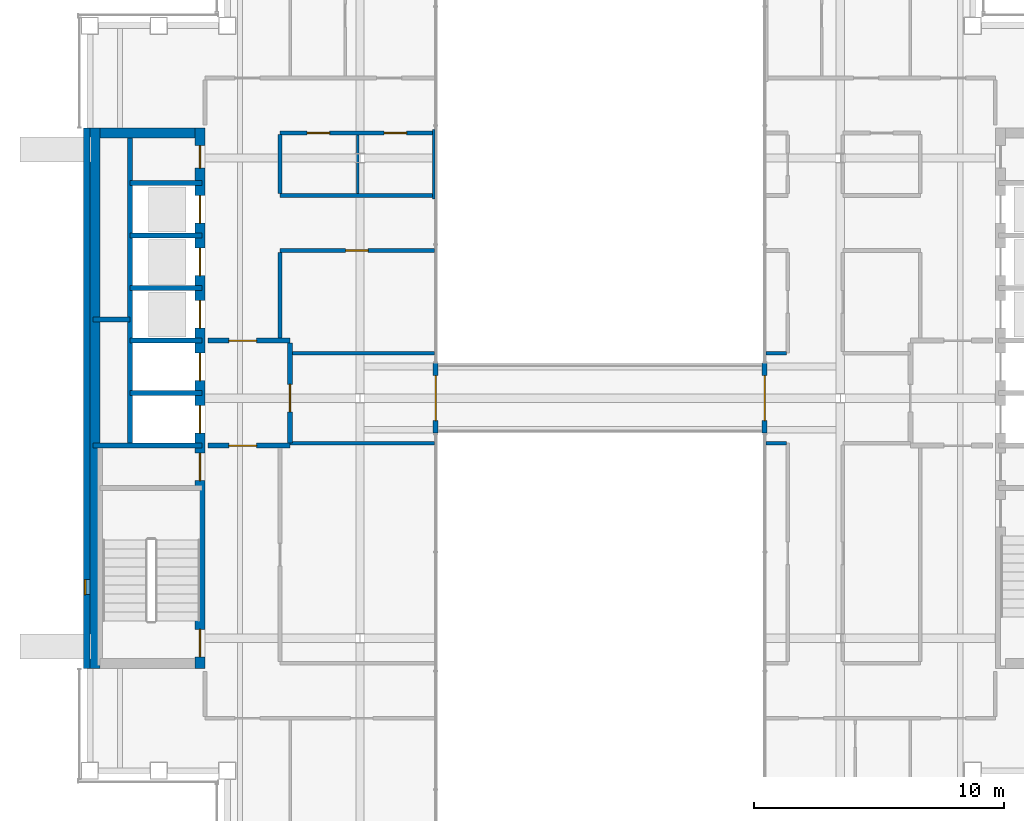
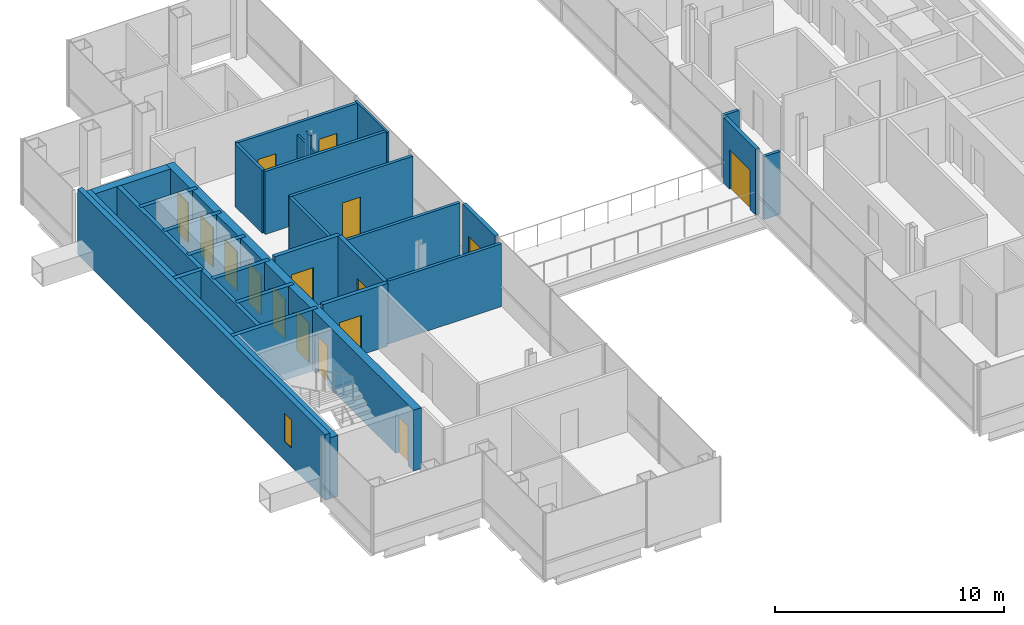
# One storey, part 12 of 16: 30 walls, 16 doors, 1 window, 17 openings.
"""IFC4 building model written with IfcOpenShell, lengths in metres."""

from ifc_helpers import new_model, si_unit, direction, frame, frame_2d, origin, place, context, subcontext, project, spatial, rectangle, extrude, material, layer, layer_set, type_object, element, fill, save


model = new_model("IFC4")

# Units and contexts
model_context = context("Model", 3, precision=1e-05, world=origin(), true_north=direction((0.0, 1.0)))
body_context = subcontext(model_context, "Body", "Model", "MODEL_VIEW")
ifc_project = project(units=[si_unit("LENGTHUNIT", "METRE"), si_unit("AREAUNIT", "SQUARE_METRE"), si_unit("VOLUMEUNIT", "CUBIC_METRE"), si_unit("PLANEANGLEUNIT", "RADIAN"), si_unit("MASSUNIT", "GRAM", prefix="KILO")], contexts=[model_context])

# Site, building, storey
site_placement = place(None, origin())
site = spatial("IfcSite", under=ifc_project, at=site_placement, CompositionType="ELEMENT")
building_placement = place(site_placement, origin())
building = spatial("IfcBuilding", under=site, at=building_placement, Name="Cobrizo Arcos Hotel Tower", CompositionType="ELEMENT")
storey_placement = place(building_placement, frame((0.0, 0.0, 229.5)))
storey = spatial("IfcBuildingStorey", under=building, at=storey_placement, Name="L60", CompositionType="ELEMENT", Elevation=229.5)

# Walls
ifc_material_1 = material(Name="Gypsum board partition")
ifc_layer_1 = layer(ifc_material_1, 0.14990234375)
ifc_layer_set_1 = layer_set([ifc_layer_1], Name="Corridor wall EI 60 150")
wall_type_1 = type_object("IfcWallType", Name="Corridor wall EI 60 150", PredefinedType="PARTITIONING", material=ifc_layer_set_1)
wall_1_placement = place(storey_placement, frame((-12.39990234375, -1.800048828125, 0.0), z_axis=(0.0, 0.0, 1.0), x_axis=(1.0, 0.0, 0.0)))
element("IfcWall", 1, at=wall_1_placement, inside=storey, type_object=wall_type_1, Name="Partition 015", PredefinedType="PARTITIONING", context=body_context, shape_type="SweptSolid", body=[
    extrude(rectangle(XDim=5.77978515625, YDim=0.14990234375, at=frame_2d((2.889892578125, 0.0))), origin(), (0.0, 0.0, 1.0), 3.35009765625),
])
wall_2_placement = place(storey_placement, frame((6.6201171875, -1.800048828125, 0.0), z_axis=(0.0, 0.0, 1.0), x_axis=(1.0, 0.0, 0.0)))
element("IfcWall", 2, at=wall_2_placement, inside=storey, type_object=wall_type_1, Name="Partition 016", PredefinedType="PARTITIONING", context=body_context, shape_type="SweptSolid", body=[
    extrude(rectangle(XDim=0.829833984375, YDim=0.14990234375, at=frame_2d((0.4150390625, 0.0))), origin(), (0.0, 0.0, 1.0), 3.35009765625),
])
wall_3_placement = place(storey_placement, frame((-12.39990234375, 1.800048828125, 0.0), z_axis=(0.0, 0.0, 1.0), x_axis=(1.0, 0.0, 0.0)))
element("IfcWall", 3, at=wall_3_placement, inside=storey, type_object=wall_type_1, Name="Partition 020", PredefinedType="PARTITIONING", context=body_context, shape_type="SweptSolid", body=[
    extrude(rectangle(XDim=5.77978515625, YDim=0.14990234375, at=frame_2d((2.889892578125, 0.0))), origin(), (0.0, 0.0, 1.0), 3.35009765625),
])
wall_4_placement = place(storey_placement, frame((6.6201171875, 1.800048828125, 0.0), z_axis=(0.0, 0.0, 1.0), x_axis=(1.0, 0.0, 0.0)))
element("IfcWall", 4, at=wall_4_placement, inside=storey, type_object=wall_type_1, Name="Partition 021", PredefinedType="PARTITIONING", context=body_context, shape_type="SweptSolid", body=[
    extrude(rectangle(XDim=0.829833984375, YDim=0.14990234375, at=frame_2d((0.4150390625, 0.0))), origin(), (0.0, 0.0, 1.0), 3.35009765625),
])

# Wall, opening, door
wall_5_placement = place(storey_placement, frame((-12.800048828125, 5.89990234375, 0.0), z_axis=(0.0, 0.0, 1.0), x_axis=(1.0, 0.0, 0.0)))
wall_5 = element("IfcWall", 5, at=wall_5_placement, inside=storey, type_object=wall_type_1, Name="Partition 031", PredefinedType="PARTITIONING", context=body_context, shape_type="SweptSolid", body=[
    extrude(rectangle(XDim=6.179931640625, YDim=0.14990234375, at=frame_2d((3.08984375, 0.0))), origin(), (0.0, 0.0, 1.0), 3.35009765625),
])
opening_1_placement = place(wall_5_placement, frame((2.625, 0.0, 0.0)))
opening_1 = element("IfcOpeningElement", 6, at=opening_1_placement, cuts=wall_5, Name="Opening RD-09", PredefinedType="OPENING", context=body_context, shape_type="SweptSolid", body=[
    extrude(rectangle(XDim=0.89990234375, YDim=2.10009765625, at=frame_2d((0.449951171875, 1.050048828125))), frame((0.0, 0.0869140625, 0.0), z_axis=(0.0, -1.0, 0.0), x_axis=(1.0, 0.0, 0.0)), (0.0, 0.0, 1.0), 0.173828125),
])
ifc_material_2 = material(Name="Timber door leaf", Category="wood")
door_type_1 = type_object("IfcDoorType", Name="Room door FD30 900x2100", OperationType="SINGLE_SWING_LEFT", PredefinedType="DOOR", material=ifc_material_2)
door_1_placement = place(opening_1_placement, origin())
door_1 = element("IfcDoor", 7, at=door_1_placement, inside=storey, type_object=door_type_1, Name="Door RD-09", OperationType="SINGLE_SWING_LEFT", OverallHeight=2.10009765625, OverallWidth=0.89990234375, PredefinedType="DOOR", context=body_context, shape_type="SweptSolid", body=[
    extrude(rectangle(XDim=0.89990234375, YDim=2.10009765625, at=frame_2d((0.449951171875, 1.050048828125))), frame((0.0, 0.02490234375, 0.0), z_axis=(0.0, -1.0, 0.0), x_axis=(1.0, 0.0, 0.0)), (0.0, 0.0, 1.0), 0.050048828125),
])
fill(opening_1, door_1)

# Wall
wall_6_placement = place(storey_placement, frame((-12.800048828125, 8.10009765625, 0.0), z_axis=(0.0, 0.0, 1.0), x_axis=(1.0, 0.0, 0.0)))
element("IfcWall", 8, at=wall_6_placement, inside=storey, type_object=wall_type_1, Name="Partition 036", PredefinedType="PARTITIONING", context=body_context, shape_type="SweptSolid", body=[
    extrude(rectangle(XDim=6.150146484375, YDim=0.14990234375, at=frame_2d((3.0751953125, 0.0))), origin(), (0.0, 0.0, 1.0), 3.35009765625),
])

# Wall, openings, doors
wall_7_placement = place(storey_placement, frame((-12.800048828125, 10.60009765625, 0.0), z_axis=(0.0, 0.0, 1.0), x_axis=(1.0, 0.0, 0.0)))
wall_7 = element("IfcWall", 9, at=wall_7_placement, inside=storey, type_object=wall_type_1, Name="Partition 041", PredefinedType="PARTITIONING", context=body_context, shape_type="SweptSolid", body=[
    extrude(rectangle(XDim=6.150146484375, YDim=0.14990234375, at=frame_2d((3.0751953125, 0.0))), origin(), (0.0, 0.0, 1.0), 3.35009765625),
])
opening_2_placement = place(wall_7_placement, frame((1.087890625, 0.0, 0.0)))
opening_2 = element("IfcOpeningElement", 10, at=opening_2_placement, cuts=wall_7, Name="Opening ED-08", PredefinedType="OPENING", context=body_context, shape_type="SweptSolid", body=[
    extrude(rectangle(XDim=0.89990234375, YDim=2.10009765625, at=frame_2d((0.449951171875, 1.050048828125))), frame((0.0, 0.0869140625, 0.0), z_axis=(0.0, -1.0, 0.0), x_axis=(1.0, 0.0, 0.0)), (0.0, 0.0, 1.0), 0.173828125),
])
opening_3_placement = place(wall_7_placement, frame((4.1630859375, 0.0, 0.0)))
opening_3 = element("IfcOpeningElement", 11, at=opening_3_placement, cuts=wall_7, Name="Opening ED-09", PredefinedType="OPENING", context=body_context, shape_type="SweptSolid", body=[
    extrude(rectangle(XDim=0.89990234375, YDim=2.10009765625, at=frame_2d((0.449951171875, 1.050048828125))), frame((0.0, 0.0869140625, 0.0), z_axis=(0.0, -1.0, 0.0), x_axis=(1.0, 0.0, 0.0)), (0.0, 0.0, 1.0), 0.173828125),
])
door_type_2 = type_object("IfcDoorType", Name="En-suite door 900x2100", OperationType="SINGLE_SWING_LEFT", PredefinedType="DOOR", material=ifc_material_2)
door_2_placement = place(opening_2_placement, origin())
door_2 = element("IfcDoor", 12, at=door_2_placement, inside=storey, type_object=door_type_2, Name="Door ED-08", OperationType="SINGLE_SWING_LEFT", OverallHeight=2.10009765625, OverallWidth=0.89990234375, PredefinedType="DOOR", context=body_context, shape_type="SweptSolid", body=[
    extrude(rectangle(XDim=0.89990234375, YDim=2.10009765625, at=frame_2d((0.449951171875, 1.050048828125))), frame((0.0, 0.02490234375, 0.0), z_axis=(0.0, -1.0, 0.0), x_axis=(1.0, 0.0, 0.0)), (0.0, 0.0, 1.0), 0.050048828125),
])
fill(opening_2, door_2)
door_3_placement = place(opening_3_placement, origin())
door_3 = element("IfcDoor", 13, at=door_3_placement, inside=storey, type_object=door_type_2, Name="Door ED-09", OperationType="SINGLE_SWING_LEFT", OverallHeight=2.10009765625, OverallWidth=0.89990234375, PredefinedType="DOOR", context=body_context, shape_type="SweptSolid", body=[
    extrude(rectangle(XDim=0.89990234375, YDim=2.10009765625, at=frame_2d((0.449951171875, 1.050048828125))), frame((0.0, 0.02490234375, 0.0), z_axis=(0.0, -1.0, 0.0), x_axis=(1.0, 0.0, 0.0)), (0.0, 0.0, 1.0), 0.050048828125),
])
fill(opening_3, door_3)

# Walls
wall_8_placement = place(storey_placement, frame((-12.800048828125, 2.39990234375, 0.0), z_axis=(0.0, 0.0, 1.0), x_axis=(0.0, 1.0, 0.0)))
element("IfcWall", 14, at=wall_8_placement, inside=storey, type_object=wall_type_1, Name="Partition 055", PredefinedType="PARTITIONING", context=body_context, shape_type="SweptSolid", body=[
    extrude(rectangle(XDim=3.425048828125, YDim=0.14990234375, at=frame_2d((1.71240234375, 0.0))), origin(), (0.0, 0.0, 1.0), 3.35009765625),
])
wall_9_placement = place(storey_placement, frame((-12.800048828125, 8.175048828125, 0.0), z_axis=(0.0, 0.0, 1.0), x_axis=(0.0, 1.0, 0.0)))
element("IfcWall", 15, at=wall_9_placement, inside=storey, type_object=wall_type_1, Name="Partition 056", PredefinedType="PARTITIONING", context=body_context, shape_type="SweptSolid", body=[
    extrude(rectangle(XDim=2.375, YDim=0.14990234375, at=frame_2d((1.1875, 0.0))), origin(), (0.0, 0.0, 1.0), 3.35009765625),
])

# Wall, opening, window
ifc_material_3 = material(Name="Aluminium composite panel pale metal", Category="aluminium")
ifc_layer_2 = layer(ifc_material_3, 0.25)
ifc_layer_set_2 = layer_set([ifc_layer_2], Name="EW-1 insulated panel wall 250")
wall_type_2 = type_object("IfcWallType", Name="EW-1 insulated panel wall 250", PredefinedType="SOLIDWALL", material=ifc_layer_set_2)
wall_10_placement = place(storey_placement, frame((-20.52490234375, 10.800048828125, 0.0), z_axis=(0.0, 0.0, 1.0), x_axis=(0.0, -1.0, 0.0)))
wall_10 = element("IfcWall", 16, at=wall_10_placement, inside=storey, type_object=wall_type_2, Name="Core face wall L60 W", PredefinedType="SOLIDWALL", context=body_context, shape_type="SweptSolid", body=[
    extrude(rectangle(XDim=21.60009765625, YDim=0.25, at=frame_2d((10.800048828125, 0.0))), origin(), (0.0, 0.0, 1.0), 3.5),
])
opening_4_placement = place(wall_10_placement, frame((18.050048828125, 0.0, 1.0)))
opening_4 = element("IfcOpeningElement", 17, at=opening_4_placement, cuts=wall_10, Name="Opening W-134", PredefinedType="OPENING", context=body_context, shape_type="SweptSolid", body=[
    extrude(rectangle(XDim=0.60009765625, YDim=1.5, at=frame_2d((0.300048828125, 0.75))), frame((0.0, 0.136962890625, 0.0), z_axis=(0.0, -1.0, 0.0), x_axis=(1.0, 0.0, 0.0)), (0.0, 0.0, 1.0), 0.27392578125),
])
ifc_material_4 = material(Name="Aluminium 6063-T6 and clear laminated glass", Category="aluminium")
window_type = type_object("IfcWindowType", Name="W-C1 core stair slot window 600x1500", PartitioningType="SINGLE_PANEL", PredefinedType="WINDOW", material=ifc_material_4)
window_placement = place(opening_4_placement, origin())
window = element("IfcWindow", 18, at=window_placement, inside=storey, type_object=window_type, Name="Core face wall L60 W window W-134", OverallHeight=1.5, OverallWidth=0.60009765625, PartitioningType="SINGLE_PANEL", PredefinedType="WINDOW", context=body_context, shape_type="SweptSolid", body=[
    extrude(rectangle(XDim=0.60009765625, YDim=1.5, at=frame_2d((0.300048828125, 0.75))), frame((0.0, -0.034912109375, 0.0), z_axis=(0.0, -1.0, 0.0), x_axis=(1.0, 0.0, 0.0)), (0.0, 0.0, 1.0), 0.06005859375),
])
fill(opening_4, window)

# Wall, opening, door
ifc_material_5 = material(Name="Aluminium 6063-T6 anodised pale", Category="aluminium")
ifc_layer_3 = layer(ifc_material_5, 0.199951171875)
ifc_layer_set_3 = layer_set([ifc_layer_3], Name="EW-4 sky bridge door frame wall")
wall_type_3 = type_object("IfcWallType", Name="EW-4 sky bridge door frame wall", PredefinedType="SOLIDWALL", material=ifc_layer_set_3)
wall_11_placement = place(storey_placement, frame((6.574951171875, -1.39990234375, 0.0), z_axis=(0.0, 0.0, 1.0), x_axis=(0.0, 1.0, 0.0)))
wall_11 = element("IfcWall", 19, at=wall_11_placement, inside=storey, type_object=wall_type_3, Name="Sky bridge door wall C E", PredefinedType="SOLIDWALL", context=body_context, shape_type="SweptSolid", body=[
    extrude(rectangle(XDim=2.7998046875, YDim=0.199951171875, at=frame_2d((1.39990234375, 0.0))), origin(), (0.0, 0.0, 1.0), 3.5),
])
opening_5_placement = place(wall_11_placement, frame((0.5, 0.0, 0.0)))
opening_5 = element("IfcOpeningElement", 20, at=opening_5_placement, cuts=wall_11, Name="Opening E-62", PredefinedType="OPENING", context=body_context, shape_type="SweptSolid", body=[
    extrude(rectangle(XDim=1.800048828125, YDim=2.10009765625, at=frame_2d((0.89990234375, 1.050048828125))), frame((0.0, 0.112060546875, 0.0), z_axis=(0.0, -1.0, 0.0), x_axis=(1.0, 0.0, 0.0)), (0.0, 0.0, 1.0), 0.223876953125),
])
door_type_3 = type_object("IfcDoorType", Name="D-B1 sky bridge double door 1800x2100", OperationType="DOUBLE_DOOR_DOUBLE_SWING", PredefinedType="DOOR", material=ifc_material_4)
door_4_placement = place(opening_5_placement, origin())
door_4 = element("IfcDoor", 21, at=door_4_placement, inside=storey, type_object=door_type_3, Name="Sky bridge door wall C E door E-62", OperationType="DOUBLE_DOOR_DOUBLE_SWING", OverallHeight=2.10009765625, OverallWidth=1.800048828125, PredefinedType="DOOR", context=body_context, shape_type="SweptSolid", body=[
    extrude(rectangle(XDim=1.800048828125, YDim=2.10009765625, at=frame_2d((0.89990234375, 1.050048828125))), frame((0.0, 0.02490234375, 0.0), z_axis=(0.0, -1.0, 0.0), x_axis=(1.0, 0.0, 0.0)), (0.0, 0.0, 1.0), 0.050048828125),
])
fill(opening_5, door_4)

wall_12_placement = place(storey_placement, frame((-6.574951171875, -1.39990234375, 0.0), z_axis=(0.0, 0.0, 1.0), x_axis=(0.0, 1.0, 0.0)))
wall_12 = element("IfcWall", 22, at=wall_12_placement, inside=storey, type_object=wall_type_3, Name="Sky bridge door wall C W", PredefinedType="SOLIDWALL", context=body_context, shape_type="SweptSolid", body=[
    extrude(rectangle(XDim=2.7998046875, YDim=0.199951171875, at=frame_2d((1.39990234375, 0.0))), origin(), (0.0, 0.0, 1.0), 3.5),
])
opening_6_placement = place(wall_12_placement, frame((0.5, 0.0, 0.0)))
opening_6 = element("IfcOpeningElement", 23, at=opening_6_placement, cuts=wall_12, Name="Opening E-63", PredefinedType="OPENING", context=body_context, shape_type="SweptSolid", body=[
    extrude(rectangle(XDim=1.800048828125, YDim=2.10009765625, at=frame_2d((0.89990234375, 1.050048828125))), frame((0.0, 0.112060546875, 0.0), z_axis=(0.0, -1.0, 0.0), x_axis=(1.0, 0.0, 0.0)), (0.0, 0.0, 1.0), 0.223876953125),
])
door_5_placement = place(opening_6_placement, origin())
door_5 = element("IfcDoor", 24, at=door_5_placement, inside=storey, type_object=door_type_3, Name="Sky bridge door wall C W door E-63", OperationType="DOUBLE_DOOR_DOUBLE_SWING", OverallHeight=2.10009765625, OverallWidth=1.800048828125, PredefinedType="DOOR", context=body_context, shape_type="SweptSolid", body=[
    extrude(rectangle(XDim=1.800048828125, YDim=2.10009765625, at=frame_2d((0.89990234375, 1.050048828125))), frame((0.0, 0.02490234375, 0.0), z_axis=(0.0, -1.0, 0.0), x_axis=(1.0, 0.0, 0.0)), (0.0, 0.0, 1.0), 0.050048828125),
])
fill(opening_6, door_5)

# Walls
ifc_layer_4 = layer(ifc_material_1, 0.10009765625)
ifc_layer_set_4 = layer_set([ifc_layer_4], Name="Partition EI 30 100")
wall_type_4 = type_object("IfcWallType", Name="Partition EI 30 100", PredefinedType="PARTITIONING", material=ifc_layer_set_4)
wall_13_placement = place(storey_placement, frame((-9.699951171875, 8.175048828125, 0.0), z_axis=(0.0, 0.0, 1.0), x_axis=(0.0, 1.0, 0.0)))
element("IfcWall", 25, at=wall_13_placement, inside=storey, type_object=wall_type_4, Name="Partition 061", PredefinedType="PARTITIONING", context=body_context, shape_type="SweptSolid", body=[
    extrude(rectangle(XDim=1.238037109375, YDim=0.10009765625, at=frame_2d((0.619140625, 0.0))), origin(), (0.0, 0.0, 1.0), 2.72802734375),
])
wall_14_placement = place(storey_placement, frame((-9.699951171875, 9.4130859375, 0.0), z_axis=(0.0, 0.0, 1.0), x_axis=(0.0, 1.0, 0.0)))
element("IfcWall", 26, at=wall_14_placement, inside=storey, type_object=wall_type_4, Name="Partition 062", PredefinedType="PARTITIONING", context=body_context, shape_type="SweptSolid", body=[
    extrude(rectangle(XDim=0.3740234375, YDim=0.10009765625, at=frame_2d((0.18701171875, 0.0))), origin(), (0.0, 0.0, 1.0), 3.35009765625),
])
wall_15_placement = place(storey_placement, frame((-9.699951171875, 9.787109375, 0.0), z_axis=(0.0, 0.0, 1.0), x_axis=(0.0, 1.0, 0.0)))
element("IfcWall", 27, at=wall_15_placement, inside=storey, type_object=wall_type_4, Name="Partition 063", PredefinedType="PARTITIONING", context=body_context, shape_type="SweptSolid", body=[
    extrude(rectangle(XDim=0.73779296875, YDim=0.10009765625, at=frame_2d((0.368896484375, 0.0))), origin(), (0.0, 0.0, 1.0), 2.72802734375),
])
wall_16_placement = place(storey_placement, frame((-6.64990234375, 7.9599609375, 0.0), z_axis=(0.0, 0.0, 1.0), x_axis=(0.0, 1.0, 0.0)))
element("IfcWall", 28, at=wall_16_placement, inside=storey, type_object=wall_type_4, Name="Partition 064", PredefinedType="PARTITIONING", context=body_context, shape_type="SweptSolid", body=[
    extrude(rectangle(XDim=2.780029296875, YDim=0.10009765625, at=frame_2d((1.39013671875, 0.0))), origin(), (0.0, 0.0, 1.0), 3.35009765625),
])

# Wall, openings, doors
ifc_material_6 = material(Name="Concrete f'c 40 MPa", Category="concrete")
ifc_layer_5 = layer(ifc_material_6, 0.39990234375)
ifc_layer_set_5 = layer_set([ifc_layer_5], Name="RC core wall 400 f'c 40")
wall_type_5 = type_object("IfcWallType", Name="RC core wall 400 f'c 40", PredefinedType="SHEAR", material=ifc_layer_set_5)
wall_17_placement = place(storey_placement, frame((-16.0, -10.800048828125, 0.0), z_axis=(0.0, 0.0, 1.0), x_axis=(0.0, 1.0, 0.0)))
wall_17 = element("IfcWall", 29, at=wall_17_placement, inside=storey, type_object=wall_type_5, Name="Core wall CW4, west core, inner face, L60", PredefinedType="SHEAR", context=body_context, shape_type="SweptSolid", body=[
    extrude(rectangle(XDim=21.60009765625, YDim=0.39990234375, at=frame_2d((10.800048828125, 0.0))), origin(), (0.0, 0.0, 1.0), 3.25),
])
opening_7_placement = place(wall_17_placement, frame((9.39990234375, 0.0, 0.0)))
opening_7 = element("IfcOpeningElement", 30, at=opening_7_placement, cuts=wall_17, Name="Opening LD-01", PredefinedType="OPENING", context=body_context, shape_type="SweptSolid", body=[
    extrude(rectangle(XDim=1.10009765625, YDim=2.10009765625, at=frame_2d((0.550048828125, 1.050048828125))), frame((0.0, 0.2119140625, 0.0), z_axis=(0.0, -1.0, 0.0), x_axis=(1.0, 0.0, 0.0)), (0.0, 0.0, 1.0), 0.423828125),
])
opening_8_placement = place(wall_17_placement, frame((11.5, 0.0, 0.0)))
opening_8 = element("IfcOpeningElement", 31, at=opening_8_placement, cuts=wall_17, Name="Opening LD-02", PredefinedType="OPENING", context=body_context, shape_type="SweptSolid", body=[
    extrude(rectangle(XDim=1.10009765625, YDim=2.10009765625, at=frame_2d((0.550048828125, 1.050048828125))), frame((0.0, 0.2119140625, 0.0), z_axis=(0.0, -1.0, 0.0), x_axis=(1.0, 0.0, 0.0)), (0.0, 0.0, 1.0), 0.423828125),
])
opening_9_placement = place(wall_17_placement, frame((13.60009765625, 0.0, 0.0)))
opening_9 = element("IfcOpeningElement", 32, at=opening_9_placement, cuts=wall_17, Name="Opening LD-03", PredefinedType="OPENING", context=body_context, shape_type="SweptSolid", body=[
    extrude(rectangle(XDim=1.10009765625, YDim=2.10009765625, at=frame_2d((0.550048828125, 1.050048828125))), frame((0.0, 0.2119140625, 0.0), z_axis=(0.0, -1.0, 0.0), x_axis=(1.0, 0.0, 0.0)), (0.0, 0.0, 1.0), 0.423828125),
])
opening_10_placement = place(wall_17_placement, frame((15.699951171875, 0.0, 0.0)))
opening_10 = element("IfcOpeningElement", 33, at=opening_10_placement, cuts=wall_17, Name="Opening LD-04", PredefinedType="OPENING", context=body_context, shape_type="SweptSolid", body=[
    extrude(rectangle(XDim=1.10009765625, YDim=2.10009765625, at=frame_2d((0.550048828125, 1.050048828125))), frame((0.0, 0.2119140625, 0.0), z_axis=(0.0, -1.0, 0.0), x_axis=(1.0, 0.0, 0.0)), (0.0, 0.0, 1.0), 0.423828125),
])
opening_11_placement = place(wall_17_placement, frame((17.800048828125, 0.0, 0.0)))
opening_11 = element("IfcOpeningElement", 34, at=opening_11_placement, cuts=wall_17, Name="Opening LD-05", PredefinedType="OPENING", context=body_context, shape_type="SweptSolid", body=[
    extrude(rectangle(XDim=1.10009765625, YDim=2.10009765625, at=frame_2d((0.550048828125, 1.050048828125))), frame((0.0, 0.2119140625, 0.0), z_axis=(0.0, -1.0, 0.0), x_axis=(1.0, 0.0, 0.0)), (0.0, 0.0, 1.0), 0.423828125),
])
opening_12_placement = place(wall_17_placement, frame((0.4580078125, 0.0, 0.0)))
opening_12 = element("IfcOpeningElement", 35, at=opening_12_placement, cuts=wall_17, Name="Opening SD-01", PredefinedType="OPENING", context=body_context, shape_type="SweptSolid", body=[
    extrude(rectangle(XDim=1.10009765625, YDim=2.10009765625, at=frame_2d((0.550048828125, 1.050048828125))), frame((0.0, 0.2119140625, 0.0), z_axis=(0.0, -1.0, 0.0), x_axis=(1.0, 0.0, 0.0)), (0.0, 0.0, 1.0), 0.423828125),
])
opening_13_placement = place(wall_17_placement, frame((7.5, 0.0, 0.0)))
opening_13 = element("IfcOpeningElement", 36, at=opening_13_placement, cuts=wall_17, Name="Opening FD-01", PredefinedType="OPENING", context=body_context, shape_type="SweptSolid", body=[
    extrude(rectangle(XDim=1.10009765625, YDim=2.10009765625, at=frame_2d((0.550048828125, 1.050048828125))), frame((0.0, 0.2119140625, 0.0), z_axis=(0.0, -1.0, 0.0), x_axis=(1.0, 0.0, 0.0)), (0.0, 0.0, 1.0), 0.423828125),
])
opening_14_placement = place(wall_17_placement, frame((20.0, 0.0, 0.0)))
opening_14 = element("IfcOpeningElement", 37, at=opening_14_placement, cuts=wall_17, Name="Opening RD-01", PredefinedType="OPENING", context=body_context, shape_type="SweptSolid", body=[
    extrude(rectangle(XDim=0.89990234375, YDim=2.10009765625, at=frame_2d((0.449951171875, 1.050048828125))), frame((0.0, 0.2119140625, 0.0), z_axis=(0.0, -1.0, 0.0), x_axis=(1.0, 0.0, 0.0)), (0.0, 0.0, 1.0), 0.423828125),
])
ifc_material_7 = material(Name="Steel door leaf", Category="steel")
door_type_4 = type_object("IfcDoorType", Name="Fire door FD60 1100x2100", OperationType="SINGLE_SWING_LEFT", PredefinedType="DOOR", material=ifc_material_7)
door_6_placement = place(opening_13_placement, origin())
door_6 = element("IfcDoor", 38, at=door_6_placement, inside=storey, type_object=door_type_4, Name="Door FD-01", OperationType="SINGLE_SWING_RIGHT", OverallHeight=2.10009765625, OverallWidth=1.10009765625, PredefinedType="DOOR", context=body_context, shape_type="SweptSolid", body=[
    extrude(rectangle(XDim=1.10009765625, YDim=2.10009765625, at=frame_2d((0.550048828125, 1.050048828125))), frame((0.0, 0.02490234375, 0.0), z_axis=(0.0, -1.0, 0.0), x_axis=(1.0, 0.0, 0.0)), (0.0, 0.0, 1.0), 0.050048828125),
])
fill(opening_13, door_6)
door_type_5 = type_object("IfcDoorType", Name="Lift landing door 1100x2100", OperationType="SLIDING_TO_LEFT", PredefinedType="DOOR", material=ifc_material_7)
door_7_placement = place(opening_7_placement, origin())
door_7 = element("IfcDoor", 39, at=door_7_placement, inside=storey, type_object=door_type_5, Name="Lift landing door LD-01", OperationType="SLIDING_TO_LEFT", OverallHeight=2.10009765625, OverallWidth=1.10009765625, PredefinedType="DOOR", context=body_context, shape_type="SweptSolid", body=[
    extrude(rectangle(XDim=1.10009765625, YDim=2.10009765625, at=frame_2d((0.550048828125, 1.050048828125))), frame((0.0, 0.02490234375, 0.0), z_axis=(0.0, -1.0, 0.0), x_axis=(1.0, 0.0, 0.0)), (0.0, 0.0, 1.0), 0.050048828125),
])
fill(opening_7, door_7)
door_8_placement = place(opening_8_placement, origin())
door_8 = element("IfcDoor", 40, at=door_8_placement, inside=storey, type_object=door_type_5, Name="Lift landing door LD-02", OperationType="SLIDING_TO_LEFT", OverallHeight=2.10009765625, OverallWidth=1.10009765625, PredefinedType="DOOR", context=body_context, shape_type="SweptSolid", body=[
    extrude(rectangle(XDim=1.10009765625, YDim=2.10009765625, at=frame_2d((0.550048828125, 1.050048828125))), frame((0.0, 0.02490234375, 0.0), z_axis=(0.0, -1.0, 0.0), x_axis=(1.0, 0.0, 0.0)), (0.0, 0.0, 1.0), 0.050048828125),
])
fill(opening_8, door_8)
door_9_placement = place(opening_9_placement, origin())
door_9 = element("IfcDoor", 41, at=door_9_placement, inside=storey, type_object=door_type_5, Name="Lift landing door LD-03", OperationType="SLIDING_TO_LEFT", OverallHeight=2.10009765625, OverallWidth=1.10009765625, PredefinedType="DOOR", context=body_context, shape_type="SweptSolid", body=[
    extrude(rectangle(XDim=1.10009765625, YDim=2.10009765625, at=frame_2d((0.550048828125, 1.050048828125))), frame((0.0, 0.02490234375, 0.0), z_axis=(0.0, -1.0, 0.0), x_axis=(1.0, 0.0, 0.0)), (0.0, 0.0, 1.0), 0.050048828125),
])
fill(opening_9, door_9)
door_10_placement = place(opening_10_placement, origin())
door_10 = element("IfcDoor", 42, at=door_10_placement, inside=storey, type_object=door_type_5, Name="Lift landing door LD-04", OperationType="SLIDING_TO_LEFT", OverallHeight=2.10009765625, OverallWidth=1.10009765625, PredefinedType="DOOR", context=body_context, shape_type="SweptSolid", body=[
    extrude(rectangle(XDim=1.10009765625, YDim=2.10009765625, at=frame_2d((0.550048828125, 1.050048828125))), frame((0.0, 0.02490234375, 0.0), z_axis=(0.0, -1.0, 0.0), x_axis=(1.0, 0.0, 0.0)), (0.0, 0.0, 1.0), 0.050048828125),
])
fill(opening_10, door_10)
door_11_placement = place(opening_11_placement, origin())
door_11 = element("IfcDoor", 43, at=door_11_placement, inside=storey, type_object=door_type_5, Name="Lift landing door LD-05", OperationType="SLIDING_TO_LEFT", OverallHeight=2.10009765625, OverallWidth=1.10009765625, PredefinedType="DOOR", context=body_context, shape_type="SweptSolid", body=[
    extrude(rectangle(XDim=1.10009765625, YDim=2.10009765625, at=frame_2d((0.550048828125, 1.050048828125))), frame((0.0, 0.02490234375, 0.0), z_axis=(0.0, -1.0, 0.0), x_axis=(1.0, 0.0, 0.0)), (0.0, 0.0, 1.0), 0.050048828125),
])
fill(opening_11, door_11)
door_12_placement = place(opening_14_placement, origin())
door_12 = element("IfcDoor", 44, at=door_12_placement, inside=storey, type_object=door_type_1, Name="Door RD-01", OperationType="SINGLE_SWING_LEFT", OverallHeight=2.10009765625, OverallWidth=0.89990234375, PredefinedType="DOOR", context=body_context, shape_type="SweptSolid", body=[
    extrude(rectangle(XDim=0.89990234375, YDim=2.10009765625, at=frame_2d((0.449951171875, 1.050048828125))), frame((0.0, 0.02490234375, 0.0), z_axis=(0.0, -1.0, 0.0), x_axis=(1.0, 0.0, 0.0)), (0.0, 0.0, 1.0), 0.050048828125),
])
fill(opening_14, door_12)
door_type_6 = type_object("IfcDoorType", Name="Stair door FD60S 1100x2100", OperationType="SINGLE_SWING_LEFT", PredefinedType="DOOR", material=ifc_material_7)
door_13_placement = place(opening_12_placement, origin())
door_13 = element("IfcDoor", 45, at=door_13_placement, inside=storey, type_object=door_type_6, Name="Door SD-01", OperationType="SINGLE_SWING_LEFT", OverallHeight=2.10009765625, OverallWidth=1.10009765625, PredefinedType="DOOR", context=body_context, shape_type="SweptSolid", body=[
    extrude(rectangle(XDim=1.10009765625, YDim=2.10009765625, at=frame_2d((0.550048828125, 1.050048828125))), frame((0.0, 0.02490234375, 0.0), z_axis=(0.0, -1.0, 0.0), x_axis=(1.0, 0.0, 0.0)), (0.0, 0.0, 1.0), 0.050048828125),
])
fill(opening_12, door_13)

# Walls
wall_18_placement = place(storey_placement, frame((-20.199951171875, -10.800048828125, 0.0), z_axis=(0.0, 0.0, 1.0), x_axis=(0.0, 1.0, 0.0)))
element("IfcWall", 46, at=wall_18_placement, inside=storey, type_object=wall_type_5, Name="Core wall CW4, west core, outer face, L60", PredefinedType="SHEAR", context=body_context, shape_type="SweptSolid", body=[
    extrude(rectangle(XDim=21.60009765625, YDim=0.39990234375, at=frame_2d((10.800048828125, 0.0))), origin(), (0.0, 0.0, 1.0), 3.25),
])
wall_19_placement = place(storey_placement, frame((-20.0, 10.60009765625, 0.0), z_axis=(0.0, 0.0, 1.0), x_axis=(1.0, 0.0, 0.0)))
element("IfcWall", 47, at=wall_19_placement, inside=storey, type_object=wall_type_5, Name="Core wall CW4, west core, north end, L60", PredefinedType="SHEAR", context=body_context, shape_type="SweptSolid", body=[
    extrude(rectangle(XDim=3.800048828125, YDim=0.39990234375, at=frame_2d((1.89990234375, 0.0))), origin(), (0.0, 0.0, 1.0), 3.25),
])
ifc_layer_6 = layer(ifc_material_1, 0.199951171875)
ifc_layer_set_6 = layer_set([ifc_layer_6], Name="Shaft wall EI 120 200")
wall_type_6 = type_object("IfcWallType", Name="Shaft wall EI 120 200", PredefinedType="PARTITIONING", material=ifc_layer_set_6)
wall_20_placement = place(storey_placement, frame((-20.280029296875, -1.89990234375, 0.0), z_axis=(0.0, 0.0, 1.0), x_axis=(1.0, 0.0, 0.0)))
element("IfcWall", 48, at=wall_20_placement, inside=storey, type_object=wall_type_6, Name="Partition 011", PredefinedType="PARTITIONING", context=body_context, shape_type="SweptSolid", body=[
    extrude(rectangle(XDim=4.360107421875, YDim=0.199951171875, at=frame_2d((2.18017578125, 0.0))), origin(), (0.0, 0.0, 1.0), 3.25),
])

# Wall, opening, door
wall_21_placement = place(storey_placement, frame((-15.679931640625, -1.89990234375, 0.0), z_axis=(0.0, 0.0, 1.0), x_axis=(1.0, 0.0, 0.0)))
wall_21 = element("IfcWall", 49, at=wall_21_placement, inside=storey, type_object=wall_type_6, Name="Partition 012", PredefinedType="PARTITIONING", context=body_context, shape_type="SweptSolid", body=[
    extrude(rectangle(XDim=3.280029296875, YDim=0.199951171875, at=frame_2d((1.64013671875, 0.0))), origin(), (0.0, 0.0, 1.0), 3.35009765625),
])
opening_15_placement = place(wall_21_placement, frame((0.840087890625, 0.0, 0.0)))
opening_15 = element("IfcOpeningElement", 50, at=opening_15_placement, cuts=wall_21, Name="Opening FD-03", PredefinedType="OPENING", context=body_context, shape_type="SweptSolid", body=[
    extrude(rectangle(XDim=1.10009765625, YDim=2.10009765625, at=frame_2d((0.550048828125, 1.050048828125))), frame((0.0, 0.112060546875, 0.0), z_axis=(0.0, -1.0, 0.0), x_axis=(1.0, 0.0, 0.0)), (0.0, 0.0, 1.0), 0.223876953125),
])
door_14_placement = place(opening_15_placement, origin())
door_14 = element("IfcDoor", 51, at=door_14_placement, inside=storey, type_object=door_type_4, Name="Door FD-03", OperationType="SINGLE_SWING_LEFT", OverallHeight=2.10009765625, OverallWidth=1.10009765625, PredefinedType="DOOR", context=body_context, shape_type="SweptSolid", body=[
    extrude(rectangle(XDim=1.10009765625, YDim=2.10009765625, at=frame_2d((0.550048828125, 1.050048828125))), frame((0.0, 0.02490234375, 0.0), z_axis=(0.0, -1.0, 0.0), x_axis=(1.0, 0.0, 0.0)), (0.0, 0.0, 1.0), 0.050048828125),
])
fill(opening_15, door_14)

# Walls
for number, where, z_axis, x_axis, name in (
    (52, (-18.800048828125, 0.199951171875, 0.0), (0.0, 0.0, 1.0), (1.0, 0.0, 0.0), "Partition 018"),
    (53, (-18.800048828125, 2.300048828125, 0.0), (0.0, 0.0, 1.0), (1.0, 0.0, 0.0), "Partition 023"),
):
    element("IfcWall", number, at=place(storey_placement, frame(where, z_axis=z_axis, x_axis=x_axis)), inside=storey, type_object=wall_type_6, Name=name, PredefinedType="PARTITIONING", context=body_context, shape_type="SweptSolid", body=[
        extrude(rectangle(XDim=2.880126953125, YDim=0.199951171875, at=frame_2d((1.43994140625, 0.0))), origin(), (0.0, 0.0, 1.0), 3.25),
    ])

# Wall, opening, door
wall_22_placement = place(storey_placement, frame((-15.679931640625, 2.300048828125, 0.0), z_axis=(0.0, 0.0, 1.0), x_axis=(1.0, 0.0, 0.0)))
wall_22 = element("IfcWall", 54, at=wall_22_placement, inside=storey, type_object=wall_type_6, Name="Partition 024", PredefinedType="PARTITIONING", context=body_context, shape_type="SweptSolid", body=[
    extrude(rectangle(XDim=3.280029296875, YDim=0.199951171875, at=frame_2d((1.64013671875, 0.0))), origin(), (0.0, 0.0, 1.0), 3.35009765625),
])
opening_16_placement = place(wall_22_placement, frame((0.840087890625, 0.0, 0.0)))
opening_16 = element("IfcOpeningElement", 55, at=opening_16_placement, cuts=wall_22, Name="Opening FD-04", PredefinedType="OPENING", context=body_context, shape_type="SweptSolid", body=[
    extrude(rectangle(XDim=1.10009765625, YDim=2.10009765625, at=frame_2d((0.550048828125, 1.050048828125))), frame((0.0, 0.112060546875, 0.0), z_axis=(0.0, -1.0, 0.0), x_axis=(1.0, 0.0, 0.0)), (0.0, 0.0, 1.0), 0.223876953125),
])
door_15_placement = place(opening_16_placement, origin())
door_15 = element("IfcDoor", 56, at=door_15_placement, inside=storey, type_object=door_type_4, Name="Door FD-04", OperationType="SINGLE_SWING_RIGHT", OverallHeight=2.10009765625, OverallWidth=1.10009765625, PredefinedType="DOOR", context=body_context, shape_type="SweptSolid", body=[
    extrude(rectangle(XDim=1.10009765625, YDim=2.10009765625, at=frame_2d((0.550048828125, 1.050048828125))), frame((0.0, 0.02490234375, 0.0), z_axis=(0.0, -1.0, 0.0), x_axis=(1.0, 0.0, 0.0)), (0.0, 0.0, 1.0), 0.050048828125),
])
fill(opening_16, door_15)

# Walls
wall_23_placement = place(storey_placement, frame((-20.280029296875, 3.14990234375, 0.0), z_axis=(0.0, 0.0, 1.0), x_axis=(1.0, 0.0, 0.0)))
element("IfcWall", 57, at=wall_23_placement, inside=storey, type_object=wall_type_6, Name="Partition 027", PredefinedType="PARTITIONING", context=body_context, shape_type="SweptSolid", body=[
    extrude(rectangle(XDim=1.47998046875, YDim=0.199951171875, at=frame_2d((0.739990234375, 0.0))), origin(), (0.0, 0.0, 1.0), 3.25),
])
for number, where, z_axis, x_axis, name in (
    (58, (-18.800048828125, 4.39990234375, 0.0), (0.0, 0.0, 1.0), (1.0, 0.0, 0.0), "Partition 029"),
    (59, (-18.800048828125, 6.5, 0.0), (0.0, 0.0, 1.0), (1.0, 0.0, 0.0), "Partition 034"),
    (60, (-18.800048828125, 8.60009765625, 0.0), (0.0, 0.0, 1.0), (1.0, 0.0, 0.0), "Partition 039"),
):
    element("IfcWall", number, at=place(storey_placement, frame(where, z_axis=z_axis, x_axis=x_axis)), inside=storey, type_object=wall_type_6, Name=name, PredefinedType="PARTITIONING", context=body_context, shape_type="SweptSolid", body=[
        extrude(rectangle(XDim=2.880126953125, YDim=0.199951171875, at=frame_2d((1.43994140625, 0.0))), origin(), (0.0, 0.0, 1.0), 3.25),
    ])
wall_24_placement = place(storey_placement, frame((-18.800048828125, -1.800048828125, 0.0), z_axis=(0.0, 0.0, 1.0), x_axis=(0.0, 1.0, 0.0)))
element("IfcWall", 61, at=wall_24_placement, inside=storey, type_object=wall_type_6, Name="Partition 051", PredefinedType="PARTITIONING", context=body_context, shape_type="SweptSolid", body=[
    extrude(rectangle(XDim=12.47998046875, YDim=0.199951171875, at=frame_2d((6.239990234375, 0.0))), origin(), (0.0, 0.0, 1.0), 3.25),
])

# Wall, opening, door
wall_25_placement = place(storey_placement, frame((-12.39990234375, -1.800048828125, 0.0), z_axis=(0.0, 0.0, 1.0), x_axis=(0.0, 1.0, 0.0)))
wall_25 = element("IfcWall", 62, at=wall_25_placement, inside=storey, type_object=wall_type_6, Name="Partition 058", PredefinedType="PARTITIONING", context=body_context, shape_type="SweptSolid", body=[
    extrude(rectangle(XDim=4.0, YDim=0.199951171875, at=frame_2d((2.0, 0.0))), origin(), (0.0, 0.0, 1.0), 3.35009765625),
])
opening_17_placement = place(wall_25_placement, frame((1.25, 0.0, 0.0)))
opening_17 = element("IfcOpeningElement", 63, at=opening_17_placement, cuts=wall_25, Name="Opening FD-02", PredefinedType="OPENING", context=body_context, shape_type="SweptSolid", body=[
    extrude(rectangle(XDim=1.10009765625, YDim=2.10009765625, at=frame_2d((0.550048828125, 1.050048828125))), frame((0.0, 0.112060546875, 0.0), z_axis=(0.0, -1.0, 0.0), x_axis=(1.0, 0.0, 0.0)), (0.0, 0.0, 1.0), 0.223876953125),
])
door_16_placement = place(opening_17_placement, origin())
door_16 = element("IfcDoor", 64, at=door_16_placement, inside=storey, type_object=door_type_4, Name="Door FD-02", OperationType="SINGLE_SWING_RIGHT", OverallHeight=2.10009765625, OverallWidth=1.10009765625, PredefinedType="DOOR", context=body_context, shape_type="SweptSolid", body=[
    extrude(rectangle(XDim=1.10009765625, YDim=2.10009765625, at=frame_2d((0.550048828125, 1.050048828125))), frame((0.0, 0.02490234375, 0.0), z_axis=(0.0, -1.0, 0.0), x_axis=(1.0, 0.0, 0.0)), (0.0, 0.0, 1.0), 0.050048828125),
])
fill(opening_17, door_16)

save(model, "model.ifc")
